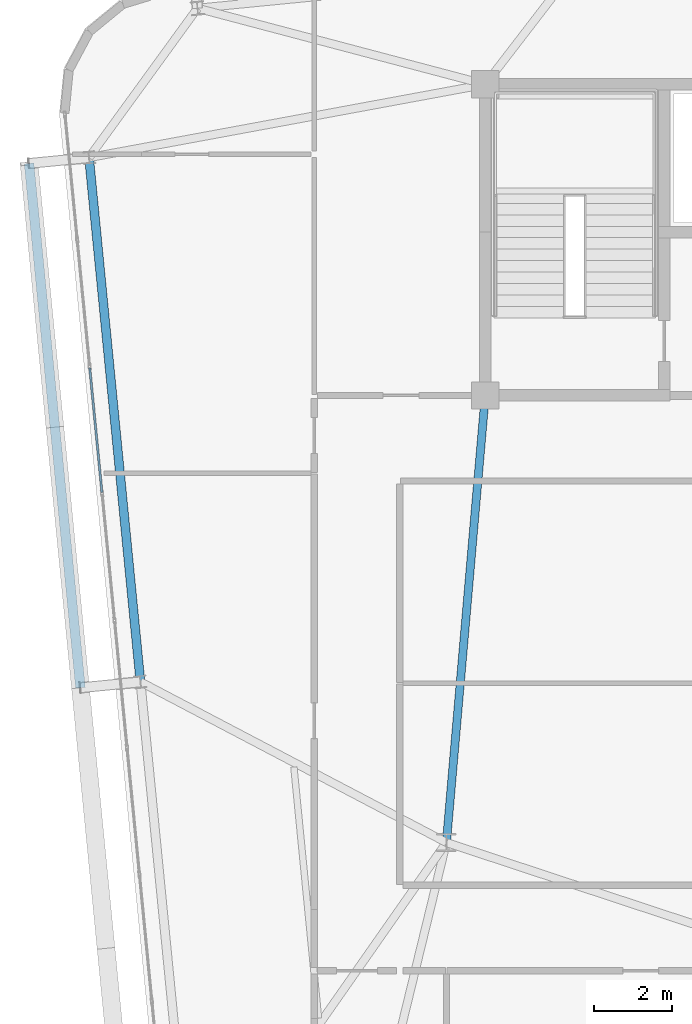
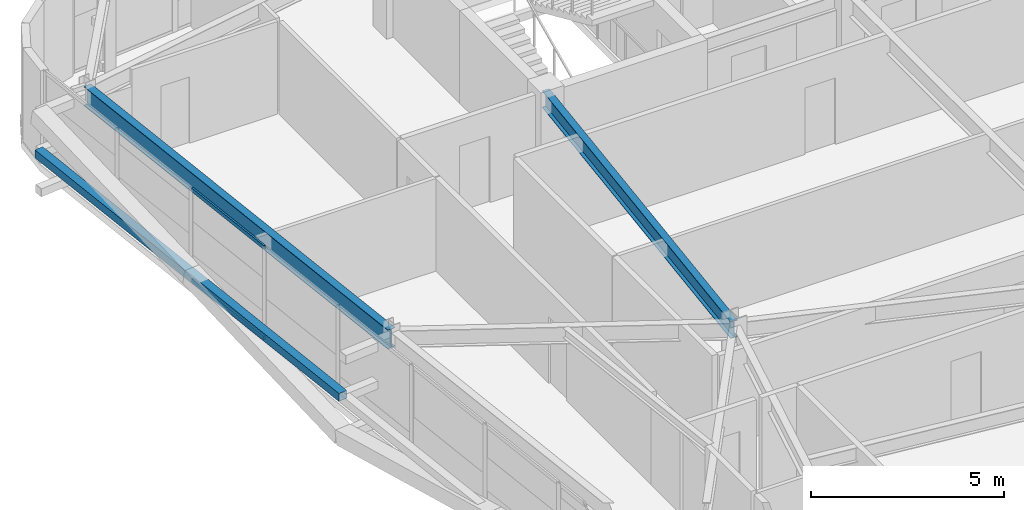
# One storey, part 14 of 52: 3 members, 2 beams, 1 element without a shape of its own.
"""IFC4 building model written with IfcOpenShell, lengths in metres."""

import ifcopenshell
import ifcopenshell.guid

model = None  # the IFC model being written
_history = None  # IfcOwnerHistory: only IFC2X3 demands one
_inside = {}  # id of a spatial element -> (the spatial element, [elements in it])
_under = {}  # id of a project, library or spatial element -> (it, [spatial elements below it])
_declared = {}  # id of a project -> (the project, [libraries it declares])
_typed = {}  # id of a type object -> (the type object, [elements of that type])
_made_of = {}  # id of a material, layer set ... -> (it, [elements and type objects made of it])


def new_model(schema):
    """Start an empty IFC model of exactly this schema.

    Asked for "IFC4X3", IfcOpenShell would pick the latest addendum, in which some entities
    have other attributes; the version numbers below select the first issue.
    IFC2X3 requires an IfcOwnerHistory on every rooted entity: one is made here for all.
    """
    global model, _history
    if schema == "IFC4X3":
        model = ifcopenshell.file(schema_version=(4, 3, 0, 0))
    else:
        model = ifcopenshell.file(schema=schema)
    _inside.clear()
    _under.clear()
    _declared.clear()
    _typed.clear()
    _made_of.clear()
    _history = None
    if model.schema == "IFC2X3":
        org = make("IfcOrganization", Name="unknown")
        user = make(
            "IfcPersonAndOrganization",
            ThePerson=make("IfcPerson", FamilyName="unknown"),
            TheOrganization=org,
        )
        app = make(
            "IfcApplication",
            ApplicationDeveloper=org,
            Version="unknown",
            ApplicationFullName="unknown",
            ApplicationIdentifier="unknown",
        )
        _history = make(
            "IfcOwnerHistory",
            OwningUser=user,
            OwningApplication=app,
            ChangeAction="ADDED",
            CreationDate=0,
        )
    return model


def make(cls, **values):
    """One entity of the class cls with the attributes given. An attribute that is None is left unset."""
    return model.create_entity(
        cls, **{name: value for name, value in values.items() if value is not None}
    )


def rooted(cls, **values):
    """An entity with a GlobalId (a new one), such as an element, a storey or a relation."""
    return make(cls, GlobalId=ifcopenshell.guid.new(), OwnerHistory=_history, **values)


def si_unit(unit_type, name, prefix=None):
    """IfcSIUnit, for example si_unit("LENGTHUNIT", "METRE", prefix="MILLI")."""
    return make("IfcSIUnit", UnitType=unit_type, Prefix=prefix, Name=name)


def assignment(units):
    """IfcUnitAssignment: the units of a project."""
    return None if units is None else make("IfcUnitAssignment", Units=units)


def point(xyz):
    """IfcCartesianPoint."""
    return None if xyz is None else make("IfcCartesianPoint", Coordinates=xyz)


def direction(xyz):
    """IfcDirection."""
    return None if xyz is None else make("IfcDirection", DirectionRatios=xyz)


def frame(location, z_axis=None, x_axis=None):
    """IfcAxis2Placement3D, a coordinate frame: its origin and axes. An axis left out is left unset."""
    return make(
        "IfcAxis2Placement3D",
        Location=point(location),
        Axis=direction(z_axis),
        RefDirection=direction(x_axis),
    )


def frame_2d(location, x_axis=None):
    """IfcAxis2Placement2D, a coordinate frame in the plane: its origin and x axis."""
    return make(
        "IfcAxis2Placement2D", Location=point(location), RefDirection=direction(x_axis)
    )


def origin():
    """The frame at (0, 0, 0) with its axes left unset."""
    return frame((0.0, 0.0, 0.0))


def origin_2d():
    """The frame at (0, 0) in the plane with its x axis left unset."""
    return frame_2d((0.0, 0.0))


def place(relative_to, where):
    """IfcLocalPlacement: puts the frame where relative to a parent placement (None: the world)."""
    return make(
        "IfcLocalPlacement", PlacementRelTo=relative_to, RelativePlacement=where
    )


def context(
    kind, dimensions, precision=None, world=None, true_north=None, identifier=None
):
    """IfcGeometricRepresentationContext, for example the 3D "Model" context."""
    return make(
        "IfcGeometricRepresentationContext",
        ContextIdentifier=identifier,
        ContextType=kind,
        CoordinateSpaceDimension=dimensions,
        Precision=precision,
        WorldCoordinateSystem=world,
        TrueNorth=true_north,
    )


def subcontext(parent, identifier, kind, view, scale=None):
    """IfcGeometricRepresentationSubContext, for example "Body" below "Model"."""
    return make(
        "IfcGeometricRepresentationSubContext",
        ContextIdentifier=identifier,
        ContextType=kind,
        ParentContext=parent,
        TargetScale=scale,
        TargetView=view,
    )


def project(units=None, contexts=None):
    """IfcProject with its units and contexts."""
    return rooted(
        "IfcProject",
        Name="project",
        RepresentationContexts=contexts,
        UnitsInContext=assignment(units),
    )


def spatial(cls, under=None, at=None, **own):
    """A site, building, storey or space (cls), placed at a placement, below another one or the project."""
    s = rooted(cls, ObjectPlacement=at, **own)
    if under is not None:
        _under.setdefault(under.id(), (under, []))[1].append(s)
    return s


def profile(cls, at=None, kind="AREA", **sizes):
    """A parametric profile (cls). Its sizes go by their IFC names, for example OverallWidth=200.0."""
    return make(cls, ProfileType=kind, Position=at, **sizes)


def hollow_rectangle(**sizes):
    """IfcRectangleHollowProfileDef."""
    return profile("IfcRectangleHollowProfileDef", **sizes)


def i_section(**sizes):
    """IfcIShapeProfileDef."""
    return profile("IfcIShapeProfileDef", **sizes)


def extrude(swept, where, along, depth):
    """IfcExtrudedAreaSolid: the profile swept, set in the frame where, extruded along a direction by depth."""
    return make(
        "IfcExtrudedAreaSolid",
        SweptArea=swept,
        Position=where,
        ExtrudedDirection=direction(along),
        Depth=depth,
    )


def shape(context_of_items, identifier, shape_type, items):
    """IfcShapeRepresentation: the items that make up one representation, for example the "Body"."""
    return make(
        "IfcShapeRepresentation",
        ContextOfItems=context_of_items,
        RepresentationIdentifier=identifier,
        RepresentationType=shape_type,
        Items=items,
    )


def source(mapping_origin, context_of_items, identifier, shape_type, items):
    """IfcRepresentationMap: a shape defined once, which mapped items show again and again."""
    return make(
        "IfcRepresentationMap",
        MappingOrigin=mapping_origin,
        MappedRepresentation=shape(context_of_items, identifier, shape_type, items),
    )


def transform(
    local_origin,
    x_axis=None,
    y_axis=None,
    z_axis=None,
    scale=None,
    scale2=None,
    scale3=None,
    uniform=True,
):
    """IfcCartesianTransformationOperator3D, or its non-uniform kind. x_axis, y_axis, z_axis: its Axis1, 2, 3."""
    if uniform:
        return make(
            "IfcCartesianTransformationOperator3D",
            Axis1=direction(x_axis),
            Axis2=direction(y_axis),
            LocalOrigin=point(local_origin),
            Scale=scale,
            Axis3=direction(z_axis),
        )
    return make(
        "IfcCartesianTransformationOperator3DnonUniform",
        Axis1=direction(x_axis),
        Axis2=direction(y_axis),
        LocalOrigin=point(local_origin),
        Scale=scale,
        Axis3=direction(z_axis),
        Scale2=scale2,
        Scale3=scale3,
    )


def mapped(mapping_source, mapping_target):
    """IfcMappedItem: shows the shape of a source again, moved by a transform."""
    return make(
        "IfcMappedItem", MappingSource=mapping_source, MappingTarget=mapping_target
    )


def material(Name=None, Category=None):
    """IfcMaterial."""
    return make("IfcMaterial", Name=Name, Category=Category)


def layer(
    of_material, thickness, ventilated=None, Name=None, Category=None, Priority=None
):
    """IfcMaterialLayer: one layer of a wall or slab, of a material (None: an air gap)."""
    return make(
        "IfcMaterialLayer",
        Material=of_material,
        LayerThickness=thickness,
        IsVentilated=ventilated,
        Name=Name,
        Category=Category,
        Priority=Priority,
    )


def layer_set(layers, Name=None):
    """IfcMaterialLayerSet."""
    return make("IfcMaterialLayerSet", MaterialLayers=layers, LayerSetName=Name)


def material_profile(
    of_material, cross_section, Name=None, Category=None, Priority=None
):
    """IfcMaterialProfile: a cross section and its material."""
    return make(
        "IfcMaterialProfile",
        Name=Name,
        Material=of_material,
        Profile=cross_section,
        Priority=Priority,
        Category=Category,
    )


def profile_set(profiles, Name=None, composite=None):
    """IfcMaterialProfileSet."""
    return make(
        "IfcMaterialProfileSet",
        Name=Name,
        MaterialProfiles=profiles,
        CompositeProfile=composite,
    )


def made_of(thing, what):
    """Note that an element or type object is made of a material, layer set ...; save() writes the relation."""
    if what is not None:
        _made_of.setdefault(what.id(), (what, []))[1].append(thing)
    return thing


def type_object(cls, material=None, **own):
    """A type object (cls), such as IfcWallType, which elements share."""
    return made_of(rooted(cls, **own), material)


def element(
    cls,
    number,
    at=None,
    inside=None,
    cuts=None,
    type_object=None,
    material=None,
    context=None,
    identifier="Body",
    shape_type=None,
    held_by="IfcProductDefinitionShape",
    body=None,
    shapes=None,
    **own,
):
    """One element of the class cls, such as IfcWall. Its Tag is "e" and its number.

    at: its placement. inside: the storey or other place that contains it. cuts: it is an
    opening in that element (IfcRelVoidsElement). A single representation is given by context,
    identifier, shape_type and body (its items); several are given by shapes. held_by: the class
    of the entity that holds the representations. save() writes the other relations.
    """
    e = rooted(cls, Tag="e%d" % number, ObjectPlacement=at, **own)
    if body is not None:
        shapes = [shape(context, identifier, shape_type, body)]
    if shapes is not None:
        e.Representation = make(held_by, Representations=shapes)
    if inside is not None:
        _inside.setdefault(inside.id(), (inside, []))[1].append(e)
    if cuts is not None:
        rooted(
            "IfcRelVoidsElement", RelatingBuildingElement=cuts, RelatedOpeningElement=e
        )
    if type_object is not None:
        _typed.setdefault(type_object.id(), (type_object, []))[1].append(e)
    return made_of(e, material)


def aggregate(whole, parts):
    """IfcRelAggregates: a whole, such as a stair, and the parts it consists of."""
    return rooted("IfcRelAggregates", RelatingObject=whole, RelatedObjects=parts)


def save(model, path):
    """Write the relations noted so far, then the file.

    IfcRelAggregates (storeys below a building ...), IfcRelContainedInSpatialStructure (elements
    in a storey), IfcRelDefinesByType, IfcRelAssociatesMaterial and IfcRelDeclares: one each for
    every whole, place, type object, material and project.
    """
    for whole, parts in _under.values():
        aggregate(whole, parts)
    for where, things in _inside.values():
        rooted(
            "IfcRelContainedInSpatialStructure",
            RelatedElements=things,
            RelatingStructure=where,
        )
    for kind, things in _typed.values():
        rooted("IfcRelDefinesByType", RelatedObjects=things, RelatingType=kind)
    for what, things in _made_of.values():
        rooted("IfcRelAssociatesMaterial", RelatedObjects=things, RelatingMaterial=what)
    for by, libraries in _declared.values():
        rooted("IfcRelDeclares", RelatingContext=by, RelatedDefinitions=libraries)
    model.write(path)


model = new_model("IFC4")

# Units and contexts
model_context = context("Model", 3, precision=1e-05, world=origin(), true_north=direction((0.0, 1.0)))
body_context = subcontext(model_context, "Body", "Model", "MODEL_VIEW")
ifc_project = project(units=[si_unit("LENGTHUNIT", "METRE"), si_unit("AREAUNIT", "SQUARE_METRE"), si_unit("VOLUMEUNIT", "CUBIC_METRE"), si_unit("PLANEANGLEUNIT", "RADIAN"), si_unit("MASSUNIT", "GRAM", prefix="KILO")], contexts=[model_context])

# Site, building, storey
site_placement = place(None, origin())
site = spatial("IfcSite", under=ifc_project, at=site_placement, CompositionType="ELEMENT")
building_placement = place(site_placement, origin())
building = spatial("IfcBuilding", under=site, at=building_placement, Name="Taldren Reach Tower", CompositionType="ELEMENT")
storey_placement = place(building_placement, frame((0.0, 0.0, 77.699951171875)))
storey = spatial("IfcBuildingStorey", under=building, at=storey_placement, Name="L23", CompositionType="ELEMENT", Elevation=77.699951171875)

# Beams
ifc_material_1 = material(Name="Steel Gr 350 (350PLUS)", Category="steel")
ifc_material_profile_1 = material_profile(ifc_material_1, i_section(OverallWidth=0.208984375, OverallDepth=0.532958984375, WebThickness=0.01025390625, FlangeThickness=0.015625, at=origin_2d()), Name="530UB92.4")
ifc_profile_set_1 = profile_set([ifc_material_profile_1], Name="Steel Gr 350 (350PLUS)")
beam_type_1 = type_object("IfcBeamType", Name="BM-UB530A", PredefinedType="BEAM", material=ifc_profile_set_1)
shared_shape_1 = source(origin(), body_context, "Body", "SweptSolid", [
    extrude(i_section(OverallWidth=0.208984375, OverallDepth=0.532958984375, WebThickness=0.01025390625, FlangeThickness=0.015625, at=origin_2d()), origin(), (0.0, 0.0, 1.0), 11.54345703125),
])
beam_1_placement = place(storey_placement, frame((19.0, 24.0, 2.66357421875), z_axis=(-0.086629616365, -0.996240588196, 0.0), x_axis=(0.996240588196, -0.086629616365, 0.0)))
element("IfcBeam", 1, at=beam_1_placement, inside=storey, type_object=beam_type_1, Name="Core-spine girder L23-SP09", PredefinedType="BEAM", context=body_context, shape_type="MappedRepresentation", body=[
    mapped(shared_shape_1, transform((0.0, 0.0, 0.0), scale=1.0)),
])
ifc_material_profile_2 = material_profile(ifc_material_1, i_section(OverallWidth=0.22802734375, OverallDepth=0.60205078125, WebThickness=0.010498046875, FlangeThickness=0.014892578125, at=origin_2d()), Name="610UB101")
ifc_profile_set_2 = profile_set([ifc_material_profile_2], Name="Steel Gr 350 (350PLUS)")
beam_type_2 = type_object("IfcBeamType", Name="BM-UB610B", PredefinedType="BEAM", material=ifc_profile_set_2)
shared_shape_2 = source(origin(), body_context, "Body", "SweptSolid", [
    extrude(i_section(OverallWidth=0.22802734375, OverallDepth=0.60205078125, WebThickness=0.010498046875, FlangeThickness=0.014892578125, at=origin_2d()), origin(), (0.0, 0.0, 1.0), 13.550048828125),
])
beam_2_placement = place(storey_placement, frame((8.808349609375, 30.116455078125, 2.629150390625), z_axis=(0.097584021339, -0.995227290009, 0.0), x_axis=(0.995227290009, 0.097584021339, 0.0)))
element("IfcBeam", 2, at=beam_2_placement, inside=storey, type_object=beam_type_2, Name="Perimeter gable girder B2 W3-W2 L23", PredefinedType="BEAM", context=body_context, shape_type="MappedRepresentation", body=[
    mapped(shared_shape_2, transform((0.0, 0.0, 0.0), scale=1.0)),
])

# Member
ifc_material_2 = material(Name="Steel Gr 350 (C350L0)", Category="steel")
ifc_material_profile_3 = material_profile(ifc_material_2, hollow_rectangle(XDim=0.25, YDim=0.25, WallThickness=0.010009765625, at=origin_2d()), Name="250x250x10.0SHS")
ifc_profile_set_3 = profile_set([ifc_material_profile_3], Name="Steel Gr 350 (C350L0)")
member_type_1 = type_object("IfcMemberType", Name="MB-POST250", PredefinedType="POST", material=ifc_profile_set_3)
shared_shape_3 = source(origin(), body_context, "Body", "SweptSolid", [
    extrude(hollow_rectangle(XDim=0.25, YDim=0.25, WallThickness=0.010009765625, at=origin_2d()), origin(), (0.0, 0.0, 1.0), 13.550048828125),
])
member_1_placement = place(storey_placement, frame((8.587890625, 16.479736328125, 1.43505859375), z_axis=(-0.097584021339, 0.995227290009, 0.0), x_axis=(-0.995227290009, -0.097584021339, 0.0)))
element("IfcMember", 3, at=member_1_placement, inside=storey, type_object=member_type_1, Name="Exoskeleton mid-height ring chord B2-W2 L23", PredefinedType="POST", context=body_context, shape_type="MappedRepresentation", body=[
    mapped(shared_shape_3, transform((0.0, 0.0, 0.0), scale=1.0)),
])

# Curtain wall, members
ifc_material_3 = material(Name="Aluminium and Low-E Glass Unitised System", Category="aluminium")
ifc_layer = layer(ifc_material_3, 0.159912109375)
ifc_layer_set = layer_set([ifc_layer], Name="Aluminium and Low-E Glass Unitised System")
curtain_wall_type = type_object("IfcCurtainWallType", Name="CW-SYS-3", PredefinedType="NOTDEFINED", material=ifc_layer_set)
curtain_wall_placement = place(storey_placement, origin())
curtain_wall = element("IfcCurtainWall", 4, at=curtain_wall_placement, inside=storey, type_object=curtain_wall_type, Name="Unitised curtain wall CW-L23-W", PredefinedType="NOTDEFINED")
ifc_material_4 = material(Name="Anodised Aluminium 6063-T6", Category="aluminium")
ifc_material_profile_4 = material_profile(ifc_material_4, hollow_rectangle(XDim=0.054931640625, YDim=0.1201171875, WallThickness=0.0029296875, at=origin_2d()), Name="ALU-120x55x3RHS")
ifc_profile_set_4 = profile_set([ifc_material_profile_4], Name="Anodised Aluminium 6063-T6")
member_type_2 = type_object("IfcMemberType", Name="CW-TRN-135", PredefinedType="USERDEFINED", material=ifc_profile_set_4)
shared_shape_4 = source(origin(), body_context, "Body", "SweptSolid", [
    extrude(hollow_rectangle(XDim=0.054931640625, YDim=0.1201171875, WallThickness=0.0029296875, at=origin_2d()), origin(), (0.0, 0.0, 1.0), 3.212890625),
])
member_2_placement = place(storey_placement, frame((8.826416015625, 24.704345703125, 0.027587890625), z_axis=(0.097569948235, -0.995228669805, 0.0), x_axis=(0.995228669805, 0.097569948235, 0.0)))
member_2 = element("IfcMember", 5, at=member_2_placement, type_object=member_type_2, Name="CW-3 transom 3.1", ObjectType="TRANSOM", PredefinedType="USERDEFINED", context=body_context, shape_type="MappedRepresentation", body=[
    mapped(shared_shape_4, transform((0.0, 0.0, 0.0), scale=1.0)),
])
member_3_placement = place(storey_placement, frame((8.826416015625, 24.704345703125, 2.902587890625), z_axis=(0.097569948235, -0.995228669805, 0.0), x_axis=(0.995228669805, 0.097569948235, 0.0)))
member_3 = element("IfcMember", 6, at=member_3_placement, type_object=member_type_2, Name="CW-3 transom 3.2", ObjectType="TRANSOM", PredefinedType="USERDEFINED", context=body_context, shape_type="MappedRepresentation", body=[
    mapped(shared_shape_4, transform((0.0, 0.0, 0.0), scale=1.0)),
])
aggregate(curtain_wall, [member_2, member_3])

save(model, "model.ifc")
